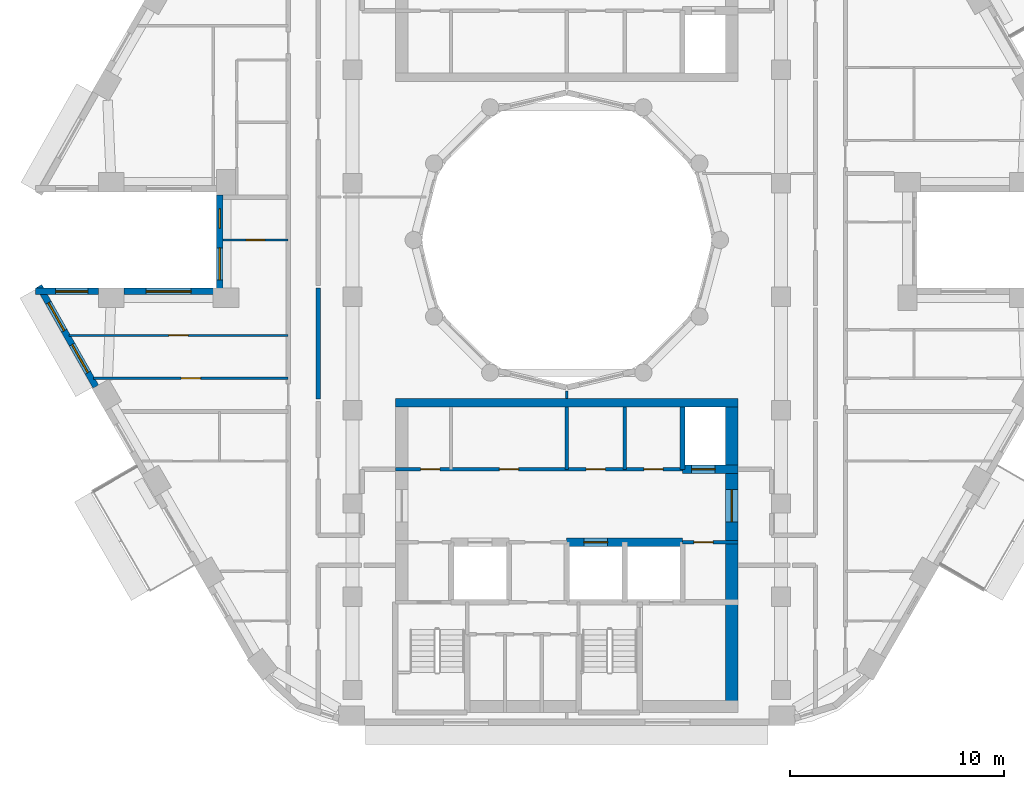
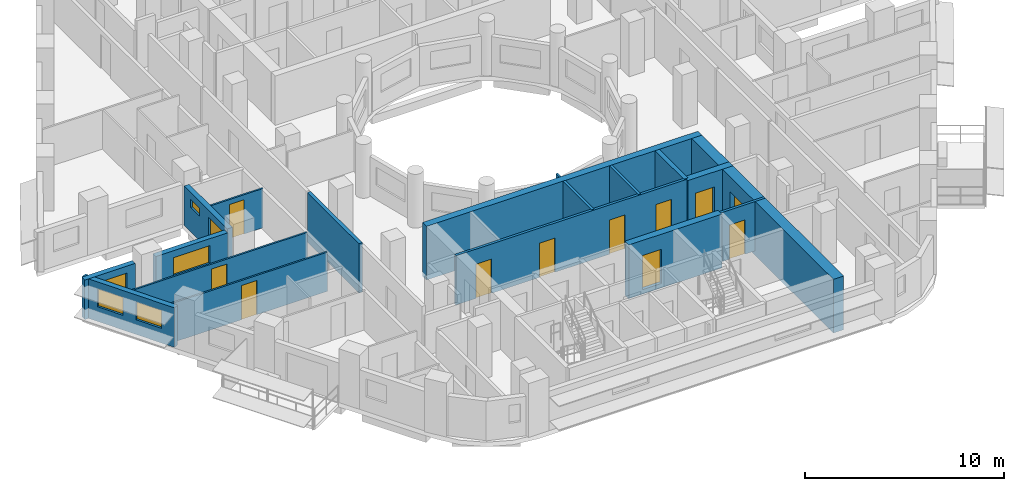
# One storey, part 4 of 18: 18 walls, 11 doors, 6 windows, 17 openings.
"""IFC4 building model written with IfcOpenShell, lengths in metres."""

from ifc_helpers import new_model, si_unit, direction, frame, frame_2d, origin, place, context, subcontext, project, spatial, rectangle, extrude, material, layer, layer_set, type_object, element, fill, save


model = new_model("IFC4")

# Units and contexts
model_context = context("Model", 3, precision=1e-05, world=origin(), true_north=direction((0.0, 1.0)))
body_context = subcontext(model_context, "Body", "Model", "MODEL_VIEW")
ifc_project = project(units=[si_unit("LENGTHUNIT", "METRE"), si_unit("AREAUNIT", "SQUARE_METRE"), si_unit("VOLUMEUNIT", "CUBIC_METRE"), si_unit("PLANEANGLEUNIT", "RADIAN"), si_unit("MASSUNIT", "GRAM", prefix="KILO")], contexts=[model_context])

# Site, building, storey
site_placement = place(None, origin())
site = spatial("IfcSite", under=ifc_project, at=site_placement, CompositionType="ELEMENT")
building_placement = place(site_placement, origin())
building = spatial("IfcBuilding", under=site, at=building_placement, Name="Nakaniwa Court", CompositionType="ELEMENT")
storey_placement = place(building_placement, frame((0.0, 0.0, 180.0)))
storey = spatial("IfcBuildingStorey", under=building, at=storey_placement, Name="L46", CompositionType="ELEMENT", Elevation=180.0)

# Wall
ifc_material_1 = material(Name="Acoustic double stud partition")
ifc_layer_1 = layer(ifc_material_1, 0.199951171875)
ifc_layer_set_1 = layer_set([ifc_layer_1], Name="Acoustic double stud partition")
wall_type_1 = type_object("IfcWallType", Name="Acoustic double stud partition 200", PredefinedType="PARTITIONING", material=ifc_layer_set_1)
wall_1_placement = place(storey_placement, frame((68.39990234375, 72.5771484375, 0.0), z_axis=(0.0, 0.0, 1.0), x_axis=(0.0, 1.0, 0.0)))
element("IfcWall", 1, at=wall_1_placement, inside=storey, type_object=wall_type_1, Name="Partition PW-100", PredefinedType="PARTITIONING", context=body_context, shape_type="SweptSolid", body=[
    extrude(rectangle(XDim=5.185546875, YDim=0.199951171875, at=frame_2d((2.5927734375, 0.0))), origin(), (0.0, 0.0, 1.0), 3.02490234375),
])

# Wall, openings, windows
ifc_material_2 = material(Name="Charcoal ceramic cladding")
ifc_layer_2 = layer(ifc_material_2, 0.02, Name="Ceramic cladding")
ifc_material_3 = material(Name="Ventilated air cavity")
ifc_layer_3 = layer(ifc_material_3, 0.04, ventilated=True, Name="Ventilated cavity")
ifc_material_4 = material(Name="Mineral wool insulation")
ifc_layer_4 = layer(ifc_material_4, 0.1, Name="Insulation")
ifc_material_5 = material(Name="Cement bonded sheathing board")
ifc_layer_5 = layer(ifc_material_5, 0.012, Name="Sheathing")
ifc_material_6 = material(Name="Cold-formed galvanised stud frame with mineral wool infill")
ifc_layer_6 = layer(ifc_material_6, 0.1, Name="Stud frame")
ifc_material_7 = material(Name="Fire-rated gypsum plasterboard lining")
ifc_layer_7 = layer(ifc_material_7, 0.028, Name="Lining")
ifc_layer_set_2 = layer_set([ifc_layer_2, ifc_layer_3, ifc_layer_4, ifc_layer_5, ifc_layer_6, ifc_layer_7], Name="Charcoal ceramic faced external wall system")
wall_type_2 = type_object("IfcWallType", Name="Black ceramic faced external wall 300", PredefinedType="SOLIDWALL", material=ifc_layer_set_2)
wall_2_placement = place(storey_placement, frame((63.800537109375, 82.10400390625, 0.0), z_axis=(0.0, 0.0, 1.0), x_axis=(0.0, -1.0, 0.0)))
wall_2 = element("IfcWall", 2, at=wall_2_placement, inside=storey, type_object=wall_type_2, Name="L46 external wall 17", PredefinedType="SOLIDWALL", context=body_context, shape_type="SweptSolid", body=[
    extrude(rectangle(XDim=4.35791015625, YDim=0.300048828125, at=frame_2d((2.178955078125, 0.0))), origin(), (0.0, 0.0, 1.0), 2.425048828125),
])
opening_1_placement = place(wall_2_placement, frame((0.65478515625, 0.0, 1.5)))
opening_1 = element("IfcOpeningElement", 3, at=opening_1_placement, cuts=wall_2, Name="Opening W10.17", PredefinedType="OPENING", context=body_context, shape_type="SweptSolid", body=[
    extrude(rectangle(XDim=0.89990234375, YDim=0.5, at=frame_2d((0.449951171875, 0.25))), frame((0.0, 0.159912109375, 0.0), z_axis=(0.0, -1.0, 0.0), x_axis=(1.0, 0.0, 0.0)), (0.0, 0.0, 1.0), 0.320068359375),
])
opening_2_placement = place(wall_2_placement, frame((2.469482421875, 0.0, 0.89990234375)))
opening_2 = element("IfcOpeningElement", 4, at=opening_2_placement, cuts=wall_2, Name="Opening W5.18", PredefinedType="OPENING", context=body_context, shape_type="SweptSolid", body=[
    extrude(rectangle(XDim=1.5, YDim=1.10009765625, at=frame_2d((0.75, 0.550048828125))), frame((0.0, 0.159912109375, 0.0), z_axis=(0.0, -1.0, 0.0), x_axis=(1.0, 0.0, 0.0)), (0.0, 0.0, 1.0), 0.320068359375),
])
ifc_material_8 = material(Name="Black anodised aluminium frame with dark low-E laminated double glazing", Category="aluminium")
window_type_1 = type_object("IfcWindowType", Name="Dark glass window 1500x1100 sill 900", PartitioningType="SINGLE_PANEL", PredefinedType="WINDOW", material=ifc_material_8)
window_1_placement = place(opening_2_placement, origin())
window_1 = element("IfcWindow", 5, at=window_1_placement, inside=storey, type_object=window_type_1, Name="L46 living window 17-2", OverallHeight=1.10009765625, OverallWidth=1.5, PartitioningType="SINGLE_PANEL", PredefinedType="WINDOW", context=body_context, shape_type="SweptSolid", body=[
    extrude(rectangle(XDim=1.5, YDim=1.10009765625, at=frame_2d((0.75, 0.550048828125))), frame((0.0, 0.030029296875, 0.0), z_axis=(0.0, -1.0, 0.0), x_axis=(1.0, 0.0, 0.0)), (0.0, 0.0, 1.0), 0.06005859375),
])
fill(opening_2, window_1)
window_type_2 = type_object("IfcWindowType", Name="Dark glass window 900x500 sill 1500", PartitioningType="SINGLE_PANEL", PredefinedType="WINDOW", material=ifc_material_8)
window_2_placement = place(opening_1_placement, origin())
window_2 = element("IfcWindow", 6, at=window_2_placement, inside=storey, type_object=window_type_2, Name="L46 bathroom window 17-1", OverallHeight=0.5, OverallWidth=0.89990234375, PartitioningType="SINGLE_PANEL", PredefinedType="WINDOW", context=body_context, shape_type="SweptSolid", body=[
    extrude(rectangle(XDim=0.89990234375, YDim=0.5, at=frame_2d((0.449951171875, 0.25))), frame((0.0, 0.030029296875, 0.0), z_axis=(0.0, -1.0, 0.0), x_axis=(1.0, 0.0, 0.0)), (0.0, 0.0, 1.0), 0.06005859375),
])
fill(opening_1, window_2)

# Wall, opening, window
wall_3_placement = place(storey_placement, frame((63.50439453125, 77.60009765625, 0.0), z_axis=(0.0, 0.0, 1.0), x_axis=(-1.0, 0.0, 0.0)))
wall_3 = element("IfcWall", 7, at=wall_3_placement, inside=storey, type_object=wall_type_2, Name="L46 external wall 18", PredefinedType="SOLIDWALL", context=body_context, shape_type="SweptSolid", body=[
    extrude(rectangle(XDim=4.17236328125, YDim=0.300048828125, at=frame_2d((2.086181640625, 0.0))), origin(), (0.0, 0.0, 1.0), 2.425048828125),
])
opening_3_placement = place(wall_3_placement, frame((1.036376953125, 0.0, 0.89990234375)))
opening_3 = element("IfcOpeningElement", 8, at=opening_3_placement, cuts=wall_3, Name="Opening W7.19", PredefinedType="OPENING", context=body_context, shape_type="SweptSolid", body=[
    extrude(rectangle(XDim=2.10009765625, YDim=1.10009765625, at=frame_2d((1.050048828125, 0.550048828125))), frame((0.0, 0.159912109375, 0.0), z_axis=(0.0, -1.0, 0.0), x_axis=(1.0, 0.0, 0.0)), (0.0, 0.0, 1.0), 0.320068359375),
])
window_type_3 = type_object("IfcWindowType", Name="Dark glass window 2100x1100 sill 900", PartitioningType="SINGLE_PANEL", PredefinedType="WINDOW", material=ifc_material_8)
window_3_placement = place(opening_3_placement, origin())
window_3 = element("IfcWindow", 9, at=window_3_placement, inside=storey, type_object=window_type_3, Name="L46 living window 18-0", OverallHeight=1.10009765625, OverallWidth=2.10009765625, PartitioningType="SINGLE_PANEL", PredefinedType="WINDOW", context=body_context, shape_type="SweptSolid", body=[
    extrude(rectangle(XDim=2.10009765625, YDim=1.10009765625, at=frame_2d((1.050048828125, 0.550048828125))), frame((0.0, 0.030029296875, 0.0), z_axis=(0.0, -1.0, 0.0), x_axis=(1.0, 0.0, 0.0)), (0.0, 0.0, 1.0), 0.06005859375),
])
fill(opening_3, window_3)

wall_4_placement = place(storey_placement, frame((58.139892578125, 77.60009765625, 0.0), z_axis=(0.0, 0.0, 1.0), x_axis=(-1.0, 0.0, 0.0)))
wall_4 = element("IfcWall", 10, at=wall_4_placement, inside=storey, type_object=wall_type_2, Name="L46 external wall 19", PredefinedType="SOLIDWALL", context=body_context, shape_type="SweptSolid", body=[
    extrude(rectangle(XDim=2.937744140625, YDim=0.300048828125, at=frame_2d((1.46875, 0.0))), origin(), (0.0, 0.0, 1.0), 2.425048828125),
])
opening_4_placement = place(wall_4_placement, frame((0.493896484375, 0.0, 0.89990234375)))
opening_4 = element("IfcOpeningElement", 11, at=opening_4_placement, cuts=wall_4, Name="Opening W5.20", PredefinedType="OPENING", context=body_context, shape_type="SweptSolid", body=[
    extrude(rectangle(XDim=1.5, YDim=1.10009765625, at=frame_2d((0.75, 0.550048828125))), frame((0.0, 0.159912109375, 0.0), z_axis=(0.0, -1.0, 0.0), x_axis=(1.0, 0.0, 0.0)), (0.0, 0.0, 1.0), 0.320068359375),
])
window_4_placement = place(opening_4_placement, origin())
window_4 = element("IfcWindow", 12, at=window_4_placement, inside=storey, type_object=window_type_1, Name="L46 living window 19-0", OverallHeight=1.10009765625, OverallWidth=1.5, PartitioningType="SINGLE_PANEL", PredefinedType="WINDOW", context=body_context, shape_type="SweptSolid", body=[
    extrude(rectangle(XDim=1.5, YDim=1.10009765625, at=frame_2d((0.75, 0.550048828125))), frame((0.0, 0.030029296875, 0.0), z_axis=(0.0, -1.0, 0.0), x_axis=(1.0, 0.0, 0.0)), (0.0, 0.0, 1.0), 0.06005859375),
])
fill(opening_4, window_4)

# Wall, openings, windows
wall_5_placement = place(storey_placement, frame((55.372802734375, 77.846435546875, 0.0), z_axis=(0.0, 0.0, 1.0), x_axis=(0.492033360928, -0.870576344575, 0.0)))
wall_5 = element("IfcWall", 13, at=wall_5_placement, inside=storey, type_object=wall_type_2, Name="L46 external wall 20", PredefinedType="SOLIDWALL", context=body_context, shape_type="SweptSolid", body=[
    extrude(rectangle(XDim=5.38671875, YDim=0.300048828125, at=frame_2d((2.693359375, 0.0))), origin(), (0.0, 0.0, 1.0), 2.425048828125),
])
opening_5_placement = place(wall_5_placement, frame((0.891845703125, 0.0, 0.89990234375)))
opening_5 = element("IfcOpeningElement", 14, at=opening_5_placement, cuts=wall_5, Name="Opening W5.21", PredefinedType="OPENING", context=body_context, shape_type="SweptSolid", body=[
    extrude(rectangle(XDim=1.5, YDim=1.10009765625, at=frame_2d((0.75, 0.550048828125))), frame((0.0, 0.159912109375, 0.0), z_axis=(0.0, -1.0, 0.0), x_axis=(1.0, 0.0, 0.0)), (0.0, 0.0, 1.0), 0.320068359375),
])
opening_6_placement = place(wall_5_placement, frame((3.1318359375, 0.0, 0.89990234375)))
opening_6 = element("IfcOpeningElement", 15, at=opening_6_placement, cuts=wall_5, Name="Opening W5.22", PredefinedType="OPENING", context=body_context, shape_type="SweptSolid", body=[
    extrude(rectangle(XDim=1.5, YDim=1.10009765625, at=frame_2d((0.75, 0.550048828125))), frame((0.0, 0.159912109375, 0.0), z_axis=(0.0, -1.0, 0.0), x_axis=(1.0, 0.0, 0.0)), (0.0, 0.0, 1.0), 0.320068359375),
])
window_5_placement = place(opening_5_placement, origin())
window_5 = element("IfcWindow", 16, at=window_5_placement, inside=storey, type_object=window_type_1, Name="L46 living window 20-0", OverallHeight=1.10009765625, OverallWidth=1.5, PartitioningType="SINGLE_PANEL", PredefinedType="WINDOW", context=body_context, shape_type="SweptSolid", body=[
    extrude(rectangle(XDim=1.5, YDim=1.10009765625, at=frame_2d((0.75, 0.550048828125))), frame((0.0, 0.030029296875, 0.0), z_axis=(0.0, -1.0, 0.0), x_axis=(1.0, 0.0, 0.0)), (0.0, 0.0, 1.0), 0.06005859375),
])
fill(opening_5, window_5)
window_6_placement = place(opening_6_placement, origin())
window_6 = element("IfcWindow", 17, at=window_6_placement, inside=storey, type_object=window_type_1, Name="L46 habitable room window 20-1", OverallHeight=1.10009765625, OverallWidth=1.5, PartitioningType="SINGLE_PANEL", PredefinedType="WINDOW", context=body_context, shape_type="SweptSolid", body=[
    extrude(rectangle(XDim=1.5, YDim=1.10009765625, at=frame_2d((0.75, 0.550048828125))), frame((0.0, 0.030029296875, 0.0), z_axis=(0.0, -1.0, 0.0), x_axis=(1.0, 0.0, 0.0)), (0.0, 0.0, 1.0), 0.06005859375),
])
fill(opening_6, window_6)

# Wall, openings, doors
ifc_material_9 = material(Name="Blockwork partition", Category="masonry")
ifc_layer_8 = layer(ifc_material_9, 0.14990234375)
ifc_layer_set_3 = layer_set([ifc_layer_8], Name="Blockwork partition")
wall_type_3 = type_object("IfcWallType", Name="Blockwork partition 150", PredefinedType="PARTITIONING", material=ifc_layer_set_3)
wall_6_placement = place(storey_placement, frame((72.0, 69.300048828125, 0.0), z_axis=(0.0, 0.0, 1.0), x_axis=(1.0, 0.0, 0.0)))
wall_6 = element("IfcWall", 18, at=wall_6_placement, inside=storey, type_object=wall_type_3, Name="Partition PW-037", PredefinedType="PARTITIONING", context=body_context, shape_type="SweptSolid", body=[
    extrude(rectangle(XDim=13.39990234375, YDim=0.14990234375, at=frame_2d((6.699951171875, 0.0))), origin(), (0.0, 0.0, 1.0), 3.02490234375),
])
opening_7_placement = place(wall_6_placement, frame((1.175048828125, 0.0, 0.0)))
opening_7 = element("IfcOpeningElement", 19, at=opening_7_placement, cuts=wall_6, Name="Opening D-05-09", PredefinedType="OPENING", context=body_context, shape_type="SweptSolid", body=[
    extrude(rectangle(XDim=0.89990234375, YDim=2.10009765625, at=frame_2d((0.449951171875, 1.050048828125))), frame((0.0, 0.0849609375, 0.0), z_axis=(0.0, -1.0, 0.0), x_axis=(1.0, 0.0, 0.0)), (0.0, 0.0, 1.0), 0.169921875),
])
opening_8_placement = place(wall_6_placement, frame((4.85009765625, 0.0, 0.0)))
opening_8 = element("IfcOpeningElement", 20, at=opening_8_placement, cuts=wall_6, Name="Opening D-05-10", PredefinedType="OPENING", context=body_context, shape_type="SweptSolid", body=[
    extrude(rectangle(XDim=0.89990234375, YDim=2.10009765625, at=frame_2d((0.449951171875, 1.050048828125))), frame((0.0, 0.0849609375, 0.0), z_axis=(0.0, -1.0, 0.0), x_axis=(1.0, 0.0, 0.0)), (0.0, 0.0, 1.0), 0.169921875),
])
opening_9_placement = place(wall_6_placement, frame((8.89990234375, 0.0, 0.0)))
opening_9 = element("IfcOpeningElement", 21, at=opening_9_placement, cuts=wall_6, Name="Opening D-05-11", PredefinedType="OPENING", context=body_context, shape_type="SweptSolid", body=[
    extrude(rectangle(XDim=0.89990234375, YDim=2.10009765625, at=frame_2d((0.449951171875, 1.050048828125))), frame((0.0, 0.0849609375, 0.0), z_axis=(0.0, -1.0, 0.0), x_axis=(1.0, 0.0, 0.0)), (0.0, 0.0, 1.0), 0.169921875),
])
opening_10_placement = place(wall_6_placement, frame((11.60009765625, 0.0, 0.0)))
opening_10 = element("IfcOpeningElement", 22, at=opening_10_placement, cuts=wall_6, Name="Opening D-05-12", PredefinedType="OPENING", context=body_context, shape_type="SweptSolid", body=[
    extrude(rectangle(XDim=0.89990234375, YDim=2.10009765625, at=frame_2d((0.449951171875, 1.050048828125))), frame((0.0, 0.0849609375, 0.0), z_axis=(0.0, -1.0, 0.0), x_axis=(1.0, 0.0, 0.0)), (0.0, 0.0, 1.0), 0.169921875),
])
ifc_material_10 = material(Name="Fire rated steel door set", Category="steel")
door_type_1 = type_object("IfcDoorType", Name="Service room door 900", OperationType="NOTDEFINED", PredefinedType="DOOR", material=ifc_material_10)
door_1_placement = place(opening_7_placement, origin())
door_1 = element("IfcDoor", 23, at=door_1_placement, inside=storey, type_object=door_type_1, Name="Door D-05-09 L46-014", OperationType="SINGLE_SWING_LEFT", OverallHeight=2.10009765625, OverallWidth=0.89990234375, PredefinedType="DOOR", context=body_context, shape_type="SweptSolid", body=[
    extrude(rectangle(XDim=0.89990234375, YDim=2.10009765625, at=frame_2d((0.449951171875, 1.050048828125))), frame((0.0, 0.02490234375, 0.0), z_axis=(0.0, -1.0, 0.0), x_axis=(1.0, 0.0, 0.0)), (0.0, 0.0, 1.0), 0.050048828125),
])
fill(opening_7, door_1)
door_2_placement = place(opening_8_placement, origin())
door_2 = element("IfcDoor", 24, at=door_2_placement, inside=storey, type_object=door_type_1, Name="Door D-05-10 L46-015", OperationType="SINGLE_SWING_RIGHT", OverallHeight=2.10009765625, OverallWidth=0.89990234375, PredefinedType="DOOR", context=body_context, shape_type="SweptSolid", body=[
    extrude(rectangle(XDim=0.89990234375, YDim=2.10009765625, at=frame_2d((0.449951171875, 1.050048828125))), frame((0.0, 0.02490234375, 0.0), z_axis=(0.0, -1.0, 0.0), x_axis=(1.0, 0.0, 0.0)), (0.0, 0.0, 1.0), 0.050048828125),
])
fill(opening_8, door_2)
door_3_placement = place(opening_9_placement, origin())
door_3 = element("IfcDoor", 25, at=door_3_placement, inside=storey, type_object=door_type_1, Name="Door D-05-11 L46-016", OperationType="SINGLE_SWING_LEFT", OverallHeight=2.10009765625, OverallWidth=0.89990234375, PredefinedType="DOOR", context=body_context, shape_type="SweptSolid", body=[
    extrude(rectangle(XDim=0.89990234375, YDim=2.10009765625, at=frame_2d((0.449951171875, 1.050048828125))), frame((0.0, 0.02490234375, 0.0), z_axis=(0.0, -1.0, 0.0), x_axis=(1.0, 0.0, 0.0)), (0.0, 0.0, 1.0), 0.050048828125),
])
fill(opening_9, door_3)
door_4_placement = place(opening_10_placement, origin())
door_4 = element("IfcDoor", 26, at=door_4_placement, inside=storey, type_object=door_type_1, Name="Door D-05-12 L46-017", OperationType="SINGLE_SWING_RIGHT", OverallHeight=2.10009765625, OverallWidth=0.89990234375, PredefinedType="DOOR", context=body_context, shape_type="SweptSolid", body=[
    extrude(rectangle(XDim=0.89990234375, YDim=2.10009765625, at=frame_2d((0.449951171875, 1.050048828125))), frame((0.0, 0.02490234375, 0.0), z_axis=(0.0, -1.0, 0.0), x_axis=(1.0, 0.0, 0.0)), (0.0, 0.0, 1.0), 0.050048828125),
])
fill(opening_10, door_4)

# Walls
for number, where, z_axis, x_axis, name in (
    (27, (80.0, 69.300048828125, 0.0), (0.0, 0.0, 1.0), (0.0, 1.0, 0.0), "Partition PW-043"),
    (28, (82.699951171875, 69.300048828125, 0.0), (0.0, 0.0, 1.0), (0.0, 1.0, 0.0), "Partition PW-044"),
):
    element("IfcWall", number, at=place(storey_placement, frame(where, z_axis=z_axis, x_axis=x_axis)), inside=storey, type_object=wall_type_3, Name=name, PredefinedType="PARTITIONING", context=body_context, shape_type="SweptSolid", body=[
        extrude(rectangle(XDim=2.89990234375, YDim=0.14990234375, at=frame_2d((1.449951171875, 0.0))), origin(), (0.0, 0.0, 1.0), 3.02490234375),
    ])

# Wall, opening, door
wall_7_placement = place(storey_placement, frame((88.0, 65.89990234375, 0.0), z_axis=(0.0, 0.0, 1.0), x_axis=(-1.0, 0.0, 0.0)))
wall_7 = element("IfcWall", 29, at=wall_7_placement, inside=storey, type_object=wall_type_3, Name="Partition PW-047", PredefinedType="PARTITIONING", context=body_context, shape_type="SweptSolid", body=[
    extrude(rectangle(XDim=2.60302734375, YDim=0.14990234375, at=frame_2d((1.301513671875, 0.0))), origin(), (0.0, 0.0, 1.0), 3.02490234375),
])
opening_11_placement = place(wall_7_placement, frame((1.175048828125, 0.0, 0.0)))
opening_11 = element("IfcOpeningElement", 30, at=opening_11_placement, cuts=wall_7, Name="Opening D-05-13", PredefinedType="OPENING", context=body_context, shape_type="SweptSolid", body=[
    extrude(rectangle(XDim=0.89990234375, YDim=2.10009765625, at=frame_2d((0.449951171875, 1.050048828125))), frame((0.0, 0.0849609375, 0.0), z_axis=(0.0, -1.0, 0.0), x_axis=(1.0, 0.0, 0.0)), (0.0, 0.0, 1.0), 0.169921875),
])
door_5_placement = place(opening_11_placement, origin())
door_5 = element("IfcDoor", 31, at=door_5_placement, inside=storey, type_object=door_type_1, Name="Door D-05-13 L46-020", OperationType="SINGLE_SWING_LEFT", OverallHeight=2.10009765625, OverallWidth=0.89990234375, PredefinedType="DOOR", context=body_context, shape_type="SweptSolid", body=[
    extrude(rectangle(XDim=0.89990234375, YDim=2.10009765625, at=frame_2d((0.449951171875, 1.050048828125))), frame((0.0, 0.02490234375, 0.0), z_axis=(0.0, -1.0, 0.0), x_axis=(1.0, 0.0, 0.0)), (0.0, 0.0, 1.0), 0.050048828125),
])
fill(opening_11, door_5)

ifc_material_11 = material(Name="Concrete C80/100", Category="concrete")
ifc_layer_9 = layer(ifc_material_11, 0.60009765625)
ifc_layer_set_4 = layer_set([ifc_layer_9], Name="Concrete C80/100")
wall_type_4 = type_object("IfcWallType", Name="Concrete core side wall 600 C80", PredefinedType="SHEAR", material=ifc_layer_set_4)
wall_8_placement = place(storey_placement, frame((87.699951171875, 72.199951171875, -0.27490234375), z_axis=(0.0, 0.0, 1.0), x_axis=(0.0, -1.0, 0.0)))
wall_8 = element("IfcWall", 32, at=wall_8_placement, inside=storey, type_object=wall_type_4, Name="Core wall SW-42", PredefinedType="SHEAR", context=body_context, shape_type="SweptSolid", body=[
    extrude(rectangle(XDim=14.25, YDim=0.60009765625, at=frame_2d((7.125, 0.0))), origin(), (0.0, 0.0, 1.0), 3.2998046875),
])
opening_12_placement = place(wall_8_placement, frame((3.85205078125, 0.0, 0.27490234375)))
opening_12 = element("IfcOpeningElement", 33, at=opening_12_placement, cuts=wall_8, Name="Opening D-07-03", PredefinedType="OPENING", context=body_context, shape_type="SweptSolid", body=[
    extrude(rectangle(XDim=1.5, YDim=2.10009765625, at=frame_2d((0.75, 1.050048828125))), frame((0.0, 0.31005859375, 0.0), z_axis=(0.0, -1.0, 0.0), x_axis=(1.0, 0.0, 0.0)), (0.0, 0.0, 1.0), 0.6201171875),
])
ifc_material_12 = material(Name="Glazed fire rated steel double door set", Category="steel")
door_type_2 = type_object("IfcDoorType", Name="Lobby double door 1500", OperationType="NOTDEFINED", PredefinedType="DOOR", material=ifc_material_12)
door_6_placement = place(opening_12_placement, origin())
door_6 = element("IfcDoor", 34, at=door_6_placement, inside=storey, type_object=door_type_2, Name="Door D-07-03 L46-065", OperationType="DOUBLE_DOOR_SINGLE_SWING", OverallHeight=2.10009765625, OverallWidth=1.5, PredefinedType="DOOR", context=body_context, shape_type="SweptSolid", body=[
    extrude(rectangle(XDim=1.5, YDim=2.10009765625, at=frame_2d((0.75, 1.050048828125))), frame((0.0, 0.02490234375, 0.0), z_axis=(0.0, -1.0, 0.0), x_axis=(1.0, 0.0, 0.0)), (0.0, 0.0, 1.0), 0.050048828125),
])
fill(opening_12, door_6)

ifc_layer_10 = layer(ifc_material_11, 0.39990234375)
ifc_layer_set_5 = layer_set([ifc_layer_10], Name="Concrete C80/100")
wall_type_5 = type_object("IfcWallType", Name="Concrete core spine wall 400 C80", PredefinedType="SHEAR", material=ifc_layer_set_5)
wall_9_placement = place(storey_placement, frame((85.39990234375, 69.300048828125, -0.27490234375), z_axis=(0.0, 0.0, 1.0), x_axis=(1.0, 0.0, 0.0)))
wall_9 = element("IfcWall", 35, at=wall_9_placement, inside=storey, type_object=wall_type_5, Name="Core wall SW-41", PredefinedType="SHEAR", context=body_context, shape_type="SweptSolid", body=[
    extrude(rectangle(XDim=2.60009765625, YDim=0.39990234375, at=frame_2d((1.300048828125, 0.0))), origin(), (0.0, 0.0, 1.0), 3.2998046875),
])
opening_13_placement = place(wall_9_placement, frame((0.425048828125, 0.0, 0.27490234375)))
opening_13 = element("IfcOpeningElement", 36, at=opening_13_placement, cuts=wall_9, Name="Opening LD05", PredefinedType="OPENING", context=body_context, shape_type="SweptSolid", body=[
    extrude(rectangle(XDim=1.10009765625, YDim=2.10009765625, at=frame_2d((0.550048828125, 1.050048828125))), frame((0.0, 0.2099609375, 0.0), z_axis=(0.0, -1.0, 0.0), x_axis=(1.0, 0.0, 0.0)), (0.0, 0.0, 1.0), 0.419921875),
])
ifc_material_13 = material(Name="Stainless steel sliding lift landing door", Category="steel")
door_type_3 = type_object("IfcDoorType", Name="Lift landing door 1100", OperationType="NOTDEFINED", PredefinedType="DOOR", material=ifc_material_13)
door_7_placement = place(opening_13_placement, origin())
door_7 = element("IfcDoor", 37, at=door_7_placement, inside=storey, type_object=door_type_3, Name="Lift landing door LD05 L46-005", OperationType="SLIDING_TO_LEFT", OverallHeight=2.10009765625, OverallWidth=1.10009765625, PredefinedType="DOOR", context=body_context, shape_type="SweptSolid", body=[
    extrude(rectangle(XDim=1.10009765625, YDim=2.10009765625, at=frame_2d((0.550048828125, 1.050048828125))), frame((0.0, 0.02490234375, 0.0), z_axis=(0.0, -1.0, 0.0), x_axis=(1.0, 0.0, 0.0)), (0.0, 0.0, 1.0), 0.050048828125),
])
fill(opening_13, door_7)

wall_10_placement = place(storey_placement, frame((79.9970703125, 65.89990234375, -0.27490234375), z_axis=(0.0, 0.0, 1.0), x_axis=(1.0, 0.0, 0.0)))
wall_10 = element("IfcWall", 38, at=wall_10_placement, inside=storey, type_object=wall_type_5, Name="Core wall SW-49", PredefinedType="SHEAR", context=body_context, shape_type="SweptSolid", body=[
    extrude(rectangle(XDim=5.406005859375, YDim=0.39990234375, at=frame_2d((2.703125, 0.0))), origin(), (0.0, 0.0, 1.0), 3.2998046875),
])
opening_14_placement = place(wall_10_placement, frame((0.802978515625, 0.0, 0.27490234375)))
opening_14 = element("IfcOpeningElement", 39, at=opening_14_placement, cuts=wall_10, Name="Opening LD07", PredefinedType="OPENING", context=body_context, shape_type="SweptSolid", body=[
    extrude(rectangle(XDim=1.10009765625, YDim=2.10009765625, at=frame_2d((0.550048828125, 1.050048828125))), frame((0.0, 0.2099609375, 0.0), z_axis=(0.0, -1.0, 0.0), x_axis=(1.0, 0.0, 0.0)), (0.0, 0.0, 1.0), 0.419921875),
])
door_8_placement = place(opening_14_placement, origin())
door_8 = element("IfcDoor", 40, at=door_8_placement, inside=storey, type_object=door_type_3, Name="Lift landing door LD07 L46-007", OperationType="SLIDING_TO_LEFT", OverallHeight=2.10009765625, OverallWidth=1.10009765625, PredefinedType="DOOR", context=body_context, shape_type="SweptSolid", body=[
    extrude(rectangle(XDim=1.10009765625, YDim=2.10009765625, at=frame_2d((0.550048828125, 1.050048828125))), frame((0.0, 0.02490234375, 0.0), z_axis=(0.0, -1.0, 0.0), x_axis=(1.0, 0.0, 0.0)), (0.0, 0.0, 1.0), 0.050048828125),
])
fill(opening_14, door_8)

# Walls
ifc_layer_11 = layer(ifc_material_11, 0.39990234375)
ifc_layer_set_6 = layer_set([ifc_layer_11], Name="Concrete C80/100")
wall_type_6 = type_object("IfcWallType", Name="Concrete core well wall 400 C80", PredefinedType="SHEAR", material=ifc_layer_set_6)
wall_11_placement = place(storey_placement, frame((72.00390625, 72.39990234375, -0.27490234375), z_axis=(0.0, 0.0, 1.0), x_axis=(1.0, 0.0, 0.0)))
element("IfcWall", 41, at=wall_11_placement, inside=storey, type_object=wall_type_6, Name="Core wall SW-145", PredefinedType="SHEAR", context=body_context, shape_type="SweptSolid", body=[
    extrude(rectangle(XDim=15.9921875, YDim=0.39990234375, at=frame_2d((7.99609375, 0.0))), origin(), (0.0, 0.0, 1.0), 3.2998046875),
])
ifc_layer_12 = layer(ifc_material_11, 0.25)
ifc_layer_set_7 = layer_set([ifc_layer_12], Name="Concrete C80/100")
wall_type_7 = type_object("IfcWallType", Name="Concrete shaft wall 250 C80", PredefinedType="SHEAR", material=ifc_layer_set_7)
wall_12_placement = place(storey_placement, frame((85.39990234375, 69.300048828125, -0.27490234375), z_axis=(0.0, 0.0, 1.0), x_axis=(0.0, 1.0, 0.0)))
element("IfcWall", 42, at=wall_12_placement, inside=storey, type_object=wall_type_7, Name="Core wall SW-40", PredefinedType="SHEAR", context=body_context, shape_type="SweptSolid", body=[
    extrude(rectangle(XDim=2.89990234375, YDim=0.25, at=frame_2d((1.449951171875, 0.0))), origin(), (0.0, 0.0, 1.0), 3.2998046875),
])
ifc_material_14 = material(Name="Single stud plasterboard partition")
ifc_layer_13 = layer(ifc_material_14, 0.10009765625)
ifc_layer_set_8 = layer_set([ifc_layer_13], Name="Single stud plasterboard partition")
wall_type_8 = type_object("IfcWallType", Name="Single stud plasterboard partition 100", PredefinedType="PARTITIONING", material=ifc_layer_set_8)
wall_13_placement = place(storey_placement, frame((80.0, 72.60009765625, 0.0), z_axis=(0.0, 0.0, 1.0), x_axis=(0.0, 1.0, 0.0)))
element("IfcWall", 43, at=wall_13_placement, inside=storey, type_object=wall_type_8, Name="Partition PW-110", PredefinedType="PARTITIONING", context=body_context, shape_type="SweptSolid", body=[
    extrude(rectangle(XDim=0.351806640625, YDim=0.10009765625, at=frame_2d((0.17578125, 0.0))), origin(), (0.0, 0.0, 1.0), 3.02490234375),
])

# Wall, opening, door
wall_14_placement = place(storey_placement, frame((57.916259765625, 73.550048828125, 0.0), z_axis=(0.0, 0.0, 1.0), x_axis=(1.0, 0.0, 0.0)))
wall_14 = element("IfcWall", 44, at=wall_14_placement, inside=storey, type_object=wall_type_8, Name="Partition PW-123", PredefinedType="PARTITIONING", context=body_context, shape_type="SweptSolid", body=[
    extrude(rectangle(XDim=9.082763671875, YDim=0.10009765625, at=frame_2d((4.54150390625, 0.0))), origin(), (0.0, 0.0, 1.0), 2.405029296875),
])
opening_15_placement = place(wall_14_placement, frame((4.091064453125, 0.0, 0.0)))
opening_15 = element("IfcOpeningElement", 45, at=opening_15_placement, cuts=wall_14, Name="Opening D-33-12", PredefinedType="OPENING", context=body_context, shape_type="SweptSolid", body=[
    extrude(rectangle(XDim=0.89990234375, YDim=2.10009765625, at=frame_2d((0.449951171875, 1.050048828125))), frame((0.0, 0.06005859375, 0.0), z_axis=(0.0, -1.0, 0.0), x_axis=(1.0, 0.0, 0.0)), (0.0, 0.0, 1.0), 0.1201171875),
])
ifc_material_15 = material(Name="Solid core timber door set, black veneer", Category="wood")
door_type_4 = type_object("IfcDoorType", Name="Internal door 900", OperationType="NOTDEFINED", PredefinedType="DOOR", material=ifc_material_15)
door_9_placement = place(opening_15_placement, origin())
door_9 = element("IfcDoor", 46, at=door_9_placement, inside=storey, type_object=door_type_4, Name="Door D-33-12 L46-052", OperationType="SINGLE_SWING_LEFT", OverallHeight=2.10009765625, OverallWidth=0.89990234375, PredefinedType="DOOR", context=body_context, shape_type="SweptSolid", body=[
    extrude(rectangle(XDim=0.89990234375, YDim=2.10009765625, at=frame_2d((0.449951171875, 1.050048828125))), frame((0.0, 0.02490234375, 0.0), z_axis=(0.0, -1.0, 0.0), x_axis=(1.0, 0.0, 0.0)), (0.0, 0.0, 1.0), 0.050048828125),
])
fill(opening_15, door_9)

wall_15_placement = place(storey_placement, frame((56.7607421875, 75.551025390625, 0.0), z_axis=(0.0, 0.0, 1.0), x_axis=(1.0, 0.0, 0.0)))
wall_15 = element("IfcWall", 47, at=wall_15_placement, inside=storey, type_object=wall_type_8, Name="Partition PW-136", PredefinedType="PARTITIONING", context=body_context, shape_type="SweptSolid", body=[
    extrude(rectangle(XDim=10.23828125, YDim=0.10009765625, at=frame_2d((5.119140625, 0.0))), origin(), (0.0, 0.0, 1.0), 2.405029296875),
])
opening_16_placement = place(wall_15_placement, frame((4.6689453125, 0.0, 0.0)))
opening_16 = element("IfcOpeningElement", 48, at=opening_16_placement, cuts=wall_15, Name="Opening D-33-13", PredefinedType="OPENING", context=body_context, shape_type="SweptSolid", body=[
    extrude(rectangle(XDim=0.89990234375, YDim=2.10009765625, at=frame_2d((0.449951171875, 1.050048828125))), frame((0.0, 0.06005859375, 0.0), z_axis=(0.0, -1.0, 0.0), x_axis=(1.0, 0.0, 0.0)), (0.0, 0.0, 1.0), 0.1201171875),
])
door_10_placement = place(opening_16_placement, origin())
door_10 = element("IfcDoor", 49, at=door_10_placement, inside=storey, type_object=door_type_4, Name="Door D-33-13 L46-053", OperationType="SINGLE_SWING_RIGHT", OverallHeight=2.10009765625, OverallWidth=0.89990234375, PredefinedType="DOOR", context=body_context, shape_type="SweptSolid", body=[
    extrude(rectangle(XDim=0.89990234375, YDim=2.10009765625, at=frame_2d((0.449951171875, 1.050048828125))), frame((0.0, 0.02490234375, 0.0), z_axis=(0.0, -1.0, 0.0), x_axis=(1.0, 0.0, 0.0)), (0.0, 0.0, 1.0), 0.050048828125),
])
fill(opening_16, door_10)

wall_16_placement = place(storey_placement, frame((63.950439453125, 79.9990234375, 0.0), z_axis=(0.0, 0.0, 1.0), x_axis=(1.0, 0.0, 0.0)))
wall_16 = element("IfcWall", 50, at=wall_16_placement, inside=storey, type_object=wall_type_8, Name="Partition PW-137", PredefinedType="PARTITIONING", context=body_context, shape_type="SweptSolid", body=[
    extrude(rectangle(XDim=3.048583984375, YDim=0.10009765625, at=frame_2d((1.5244140625, 0.0))), origin(), (0.0, 0.0, 1.0), 2.405029296875),
])
opening_17_placement = place(wall_16_placement, frame((1.09912109375, 0.0, 0.0)))
opening_17 = element("IfcOpeningElement", 51, at=opening_17_placement, cuts=wall_16, Name="Opening D-03-05", PredefinedType="OPENING", context=body_context, shape_type="SweptSolid", body=[
    extrude(rectangle(XDim=0.85009765625, YDim=2.10009765625, at=frame_2d((0.425048828125, 1.050048828125))), frame((0.0, 0.06005859375, 0.0), z_axis=(0.0, -1.0, 0.0), x_axis=(1.0, 0.0, 0.0)), (0.0, 0.0, 1.0), 0.1201171875),
])
ifc_material_16 = material(Name="Moisture sealed timber door set", Category="wood")
door_type_5 = type_object("IfcDoorType", Name="Bathroom door 850", OperationType="NOTDEFINED", PredefinedType="DOOR", material=ifc_material_16)
door_11_placement = place(opening_17_placement, origin())
door_11 = element("IfcDoor", 52, at=door_11_placement, inside=storey, type_object=door_type_5, Name="Door D-03-05 L46-054", OperationType="SINGLE_SWING_LEFT", OverallHeight=2.10009765625, OverallWidth=0.85009765625, PredefinedType="DOOR", context=body_context, shape_type="SweptSolid", body=[
    extrude(rectangle(XDim=0.85009765625, YDim=2.10009765625, at=frame_2d((0.425048828125, 1.050048828125))), frame((0.0, 0.02490234375, 0.0), z_axis=(0.0, -1.0, 0.0), x_axis=(1.0, 0.0, 0.0)), (0.0, 0.0, 1.0), 0.050048828125),
])
fill(opening_17, door_11)

save(model, "model.ifc")
